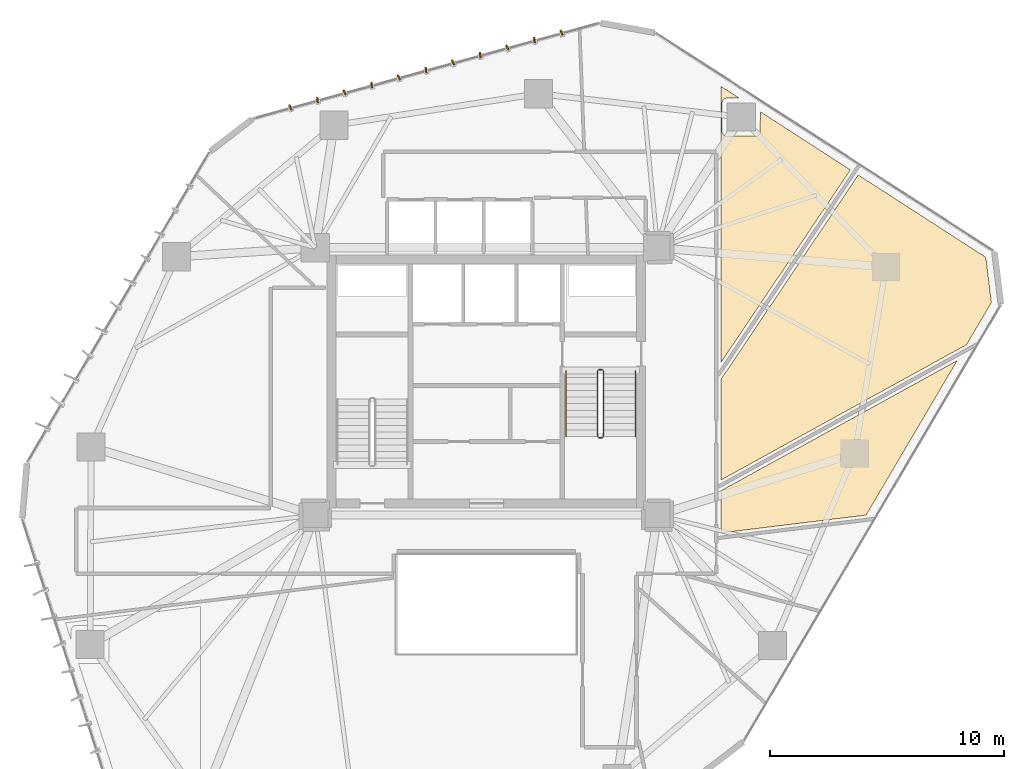
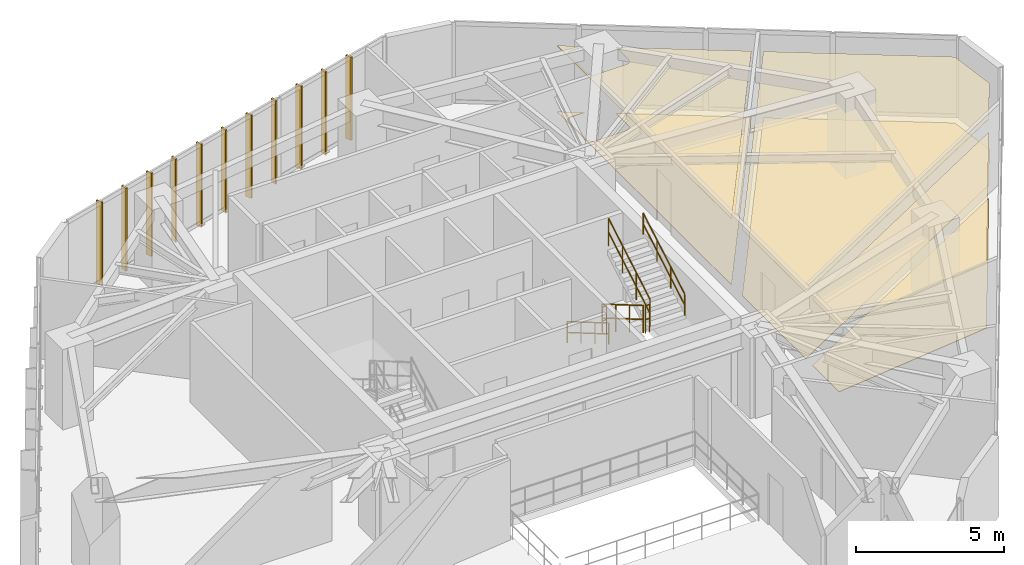
# One storey, part 20 of 20: 11 shading devices, 6 coverings, 6 railings.
"""IFC4 building model written with IfcOpenShell, lengths in metres."""

from ifc_helpers import new_model, si_unit, direction, frame, origin, origin_2d, place, context, subcontext, project, spatial, polyline, rectangle, circle, outline, extrude, source, transform, mapped, material, layer, layer_set, type_object, type_shapes, element, save


model = new_model("IFC4")

# Units and contexts
model_context = context("Model", 3, precision=1e-05, world=origin(), true_north=direction((0.0, 1.0)))
body_context = subcontext(model_context, "Body", "Model", "MODEL_VIEW")
ifc_project = project(units=[si_unit("LENGTHUNIT", "METRE"), si_unit("AREAUNIT", "SQUARE_METRE"), si_unit("VOLUMEUNIT", "CUBIC_METRE"), si_unit("PLANEANGLEUNIT", "RADIAN"), si_unit("MASSUNIT", "GRAM", prefix="KILO")], contexts=[model_context])

# Site, building, storey
site_placement = place(None, origin())
site = spatial("IfcSite", under=ifc_project, at=site_placement, CompositionType="ELEMENT")
building_placement = place(site_placement, origin())
building = spatial("IfcBuilding", under=site, at=building_placement, Name="Talar Marvaseh", CompositionType="ELEMENT")
storey_placement = place(building_placement, frame((0.0, 0.0, 136.199951171875)))
storey = spatial("IfcBuildingStorey", under=building, at=storey_placement, Name="L35", CompositionType="ELEMENT", Elevation=136.199951171875)

# Railings
ifc_material_1 = material(Name="Stainless Steel Grade 316", Category="steel")
railing_type_1 = type_object("IfcRailingType", Name="Brushed Stainless Wall Pitch Handrail 900", PredefinedType="HANDRAIL", material=ifc_material_1)
railing_1_placement = place(storey_placement, frame((29.389892578125, 31.64990234375, 0.16357421875)))
element("IfcRailing", 1, at=railing_1_placement, inside=storey, type_object=railing_type_1, Name="L35 ST-2 stair handrail 1", PredefinedType="HANDRAIL", context=body_context, shape_type="SweptSolid", body=[
    extrude(circle(Radius=0.02392578125, at=origin_2d()), frame((0.0, 0.0, 0.8759765625), z_axis=(0.0, -0.863341702679, 0.504619762213), x_axis=(1.0, 0.0, 0.0)), (0.0, 0.0, 1.0), 3.242919921875),
    extrude(circle(Radius=0.02392578125, at=origin_2d()), frame((0.0, 0.0, 0.42578125), z_axis=(0.0, -0.863341702679, 0.504619762213), x_axis=(1.0, 0.0, 0.0)), (0.0, 0.0, 1.0), 3.242919921875),
    extrude(circle(Radius=0.02099609375, at=origin_2d()), origin(), (0.0, 0.0, 1.0), 0.851806640625),
    extrude(circle(Radius=0.02099609375, at=origin_2d()), frame((0.0, -0.933349609375, 0.54541015625)), (0.0, 0.0, 1.0), 0.851806640625),
    extrude(circle(Radius=0.02099609375, at=origin_2d()), frame((0.0, -1.866455078125, 1.091064453125)), (0.0, 0.0, 1.0), 0.851806640625),
    extrude(circle(Radius=0.02099609375, at=origin_2d()), frame((0.0, -2.7998046875, 1.636474609375)), (0.0, 0.0, 1.0), 0.851806640625),
])
railing_2_placement = place(storey_placement, frame((32.35009765625, 28.85009765625, 1.963623046875)))
element("IfcRailing", 2, at=railing_2_placement, inside=storey, type_object=railing_type_1, Name="L35 ST-2 stair handrail 2", PredefinedType="HANDRAIL", context=body_context, shape_type="SweptSolid", body=[
    extrude(circle(Radius=0.02392578125, at=origin_2d()), frame((0.0, 0.0, 0.8759765625), z_axis=(0.0, 0.863341702679, 0.504619762213), x_axis=(-1.0, 0.0, 0.0)), (0.0, 0.0, 1.0), 3.242919921875),
    extrude(circle(Radius=0.02392578125, at=origin_2d()), frame((0.0, 0.0, 0.42578125), z_axis=(0.0, 0.863341702679, 0.504619762213), x_axis=(-1.0, 0.0, 0.0)), (0.0, 0.0, 1.0), 3.242919921875),
    extrude(circle(Radius=0.02099609375, at=origin_2d()), origin(), (0.0, 0.0, 1.0), 0.851806640625),
    extrude(circle(Radius=0.02099609375, at=origin_2d()), frame((0.0, 0.933349609375, 0.54541015625)), (0.0, 0.0, 1.0), 0.851806640625),
    extrude(circle(Radius=0.02099609375, at=origin_2d()), frame((0.0, 1.866455078125, 1.091064453125)), (0.0, 0.0, 1.0), 0.851806640625),
    extrude(circle(Radius=0.02099609375, at=origin_2d()), frame((0.0, 2.7998046875, 1.636474609375)), (0.0, 0.0, 1.0), 0.851806640625),
])
railing_type_2 = type_object("IfcRailingType", Name="Painted Steel Core Stair Well Guardrail 1150", PredefinedType="GUARDRAIL", material=ifc_material_1)
railing_3_placement = place(storey_placement, frame((30.739990234375, 31.64990234375, 0.16357421875)))
element("IfcRailing", 3, at=railing_3_placement, inside=storey, type_object=railing_type_2, Name="L35 ST-2 stair guard 1", PredefinedType="GUARDRAIL", context=body_context, shape_type="SweptSolid", body=[
    extrude(circle(Radius=0.02392578125, at=origin_2d()), frame((0.0, 0.0, 1.1259765625), z_axis=(0.0, -0.863341702679, 0.504619762213), x_axis=(1.0, 0.0, 0.0)), (0.0, 0.0, 1.0), 3.242919921875),
    extrude(circle(Radius=0.02392578125, at=origin_2d()), frame((0.0, 0.0, 0.55078125), z_axis=(0.0, -0.863341702679, 0.504619762213), x_axis=(1.0, 0.0, 0.0)), (0.0, 0.0, 1.0), 3.242919921875),
    extrude(circle(Radius=0.02099609375, at=origin_2d()), origin(), (0.0, 0.0, 1.0), 1.101806640625),
    extrude(circle(Radius=0.02099609375, at=origin_2d()), frame((0.0, -0.933349609375, 0.54541015625)), (0.0, 0.0, 1.0), 1.101806640625),
    extrude(circle(Radius=0.02099609375, at=origin_2d()), frame((0.0, -1.866455078125, 1.091064453125)), (0.0, 0.0, 1.0), 1.101806640625),
    extrude(circle(Radius=0.02099609375, at=origin_2d()), frame((0.0, -2.7998046875, 1.636474609375)), (0.0, 0.0, 1.0), 1.101806640625),
])
railing_4_placement = place(storey_placement, frame((30.7900390625, 28.800048828125, 1.800048828125)))
element("IfcRailing", 4, at=railing_4_placement, inside=storey, type_object=railing_type_2, Name="L35 ST-2 stair guard 2", PredefinedType="GUARDRAIL", context=body_context, shape_type="SweptSolid", body=[
    extrude(circle(Radius=0.02392578125, at=origin_2d()), frame((0.0, 0.0, 1.1259765625), z_axis=(1.0, 0.0, 0.0), x_axis=(0.0, 1.0, 0.0)), (0.0, 0.0, 1.0), 0.159912109375),
    extrude(circle(Radius=0.02392578125, at=origin_2d()), frame((0.0, 0.0, 0.55078125), z_axis=(1.0, 0.0, 0.0), x_axis=(0.0, 1.0, 0.0)), (0.0, 0.0, 1.0), 0.159912109375),
    extrude(circle(Radius=0.02099609375, at=origin_2d()), origin(), (0.0, 0.0, 1.0), 1.101806640625),
    extrude(circle(Radius=0.02099609375, at=origin_2d()), frame((0.159912109375, 0.0, 0.0)), (0.0, 0.0, 1.0), 1.101806640625),
])
railing_5_placement = place(storey_placement, frame((31.0, 28.85009765625, 1.963623046875)))
element("IfcRailing", 5, at=railing_5_placement, inside=storey, type_object=railing_type_2, Name="L35 ST-2 stair guard 3", PredefinedType="GUARDRAIL", context=body_context, shape_type="SweptSolid", body=[
    extrude(circle(Radius=0.02392578125, at=origin_2d()), frame((0.0, 0.0, 1.1259765625), z_axis=(0.0, 0.863341702679, 0.504619762213), x_axis=(-1.0, 0.0, 0.0)), (0.0, 0.0, 1.0), 3.242919921875),
    extrude(circle(Radius=0.02392578125, at=origin_2d()), frame((0.0, 0.0, 0.55078125), z_axis=(0.0, 0.863341702679, 0.504619762213), x_axis=(-1.0, 0.0, 0.0)), (0.0, 0.0, 1.0), 3.242919921875),
    extrude(circle(Radius=0.02099609375, at=origin_2d()), origin(), (0.0, 0.0, 1.0), 1.101806640625),
    extrude(circle(Radius=0.02099609375, at=origin_2d()), frame((0.0, 0.933349609375, 0.54541015625)), (0.0, 0.0, 1.0), 1.101806640625),
    extrude(circle(Radius=0.02099609375, at=origin_2d()), frame((0.0, 1.866455078125, 1.091064453125)), (0.0, 0.0, 1.0), 1.101806640625),
    extrude(circle(Radius=0.02099609375, at=origin_2d()), frame((0.0, 2.7998046875, 1.636474609375)), (0.0, 0.0, 1.0), 1.101806640625),
])
railing_6_placement = place(storey_placement, frame((30.7900390625, 31.699951171875, 0.0)))
element("IfcRailing", 6, at=railing_6_placement, inside=storey, type_object=railing_type_2, Name="L35 ST-2 stair guard 4", PredefinedType="GUARDRAIL", context=body_context, shape_type="SweptSolid", body=[
    extrude(circle(Radius=0.02392578125, at=origin_2d()), frame((0.0, 0.0, 1.1259765625), z_axis=(1.0, 0.0, 0.0), x_axis=(0.0, 1.0, 0.0)), (0.0, 0.0, 1.0), 0.159912109375),
    extrude(circle(Radius=0.02392578125, at=origin_2d()), frame((0.0, 0.0, 0.55078125), z_axis=(1.0, 0.0, 0.0), x_axis=(0.0, 1.0, 0.0)), (0.0, 0.0, 1.0), 0.159912109375),
    extrude(circle(Radius=0.02099609375, at=origin_2d()), origin(), (0.0, 0.0, 1.0), 1.101806640625),
    extrude(circle(Radius=0.02099609375, at=origin_2d()), frame((0.159912109375, 0.0, 0.0)), (0.0, 0.0, 1.0), 1.101806640625),
])

# Coverings
ifc_material_2 = material(Name="Mineral Fibre Acoustic Ceiling")
ifc_layer_1 = layer(ifc_material_2, 0.02490234375)
ifc_layer_set_1 = layer_set([ifc_layer_1], Name="Mineral Fibre Acoustic Ceiling")
covering_type_1 = type_object("IfcCoveringType", Name="Perforated Mineral Fibre Acoustic Suspended Ceiling", PredefinedType="CEILING", material=ifc_layer_set_1)
covering_1_placement = place(storey_placement, frame((0.0, 0.0, 2.719970703125)))
element("IfcCovering", 7, at=covering_1_placement, inside=storey, type_object=covering_type_1, Name="L35 Cultural Fellowship Office Acoustic Ceiling", PredefinedType="CEILING", context=body_context, shape_type="SweptSolid", body=[
    extrude(outline(polyline([(46.07568359375, 32.0888671875), (42.193603515625, 25.50048828125), (36.0, 24.739990234375), (36.0, 26.537109375), (46.07568359375, 32.0888671875)])), origin(), (0.0, 0.0, 1.0), 0.025146484375),
])
covering_2_placement = place(storey_placement, frame((0.0, 0.0, 2.719970703125)))
element("IfcCovering", 8, at=covering_2_placement, inside=storey, type_object=covering_type_1, Name="L35 Manuscript Folio Archive Room Acoustic Ceiling", PredefinedType="CEILING", context=body_context, shape_type="SweptSolid", body=[
    extrude(outline(polyline([(36.0, 26.99365234375), (36.0, 31.28369140625), (41.85791015625, 40.005615234375), (47.296875, 36.494384765625), (47.535888671875, 34.56689453125), (46.47412109375, 32.764892578125), (36.0, 26.99365234375)])), origin(), (0.0, 0.0, 1.0), 0.025146484375),
])
covering_3_placement = place(storey_placement, frame((0.0, 0.0, 2.719970703125)))
element("IfcCovering", 9, at=covering_3_placement, inside=storey, type_object=covering_type_1, Name="L35 Conservation Laboratory Acoustic Ceiling", PredefinedType="CEILING", context=body_context, shape_type="SweptSolid", body=[
    extrude(outline(polyline([(36.254638671875, 43.281494140625), (36.235107421875, 43.280517578125), (36.2158203125, 43.277587890625), (36.197021484375, 43.27294921875), (36.178466796875, 43.26611328125), (36.160888671875, 43.2578125), (36.14404296875, 43.247802734375), (36.12841796875, 43.236083984375), (36.114013671875, 43.222900390625), (36.100830078125, 43.20849609375), (36.089111328125, 43.19287109375), (36.0791015625, 43.176025390625), (36.07080078125, 43.158447265625), (36.064208984375, 43.14013671875), (36.059326171875, 43.12109375), (36.056396484375, 43.101806640625), (36.055419921875, 43.082275390625), (36.051025390625, 41.87158203125), (36.0517578125, 41.853759765625), (36.05419921875, 41.835693359375), (36.05810546875, 41.818115234375), (36.063720703125, 41.80078125), (36.07080078125, 41.7841796875), (36.079345703125, 41.768310546875), (36.08740234375, 41.755126953125), (36.09765625, 41.739501953125), (36.109619140625, 41.724853515625), (36.12255859375, 41.71142578125), (36.136962890625, 41.69921875), (36.15234375, 41.6884765625), (36.168701171875, 41.67919921875), (36.185791015625, 41.671630859375), (36.20361328125, 41.66552734375), (36.221923828125, 41.6611328125), (36.240478515625, 41.65869140625), (36.25927734375, 41.65771484375), (37.47705078125, 41.660400390625), (37.49658203125, 41.661376953125), (37.515869140625, 41.664306640625), (37.534912109375, 41.669189453125), (37.55322265625, 41.67578125), (37.57080078125, 41.68408203125), (37.587646484375, 41.694091796875), (37.603515625, 41.705810546875), (37.617919921875, 41.718994140625), (37.631103515625, 41.7333984375), (37.642578125, 41.7490234375), (37.65283203125, 41.765869140625), (37.6611328125, 41.783447265625), (37.667724609375, 41.802001953125), (37.672607421875, 41.82080078125), (37.675537109375, 41.840087890625), (37.676513671875, 41.859619140625), (37.6796875, 42.703125), (41.521728515625, 40.22265625), (36.0, 32.001220703125), (36.0, 41.0), (36.0, 43.78759765625), (36.78076171875, 43.283447265625), (36.254638671875, 43.281494140625)])), origin(), (0.0, 0.0, 1.0), 0.025146484375),
])
ifc_material_3 = material(Name="Porcelain Stoneware Tile", Category="masonry")
ifc_layer_2 = layer(ifc_material_3, 0.02001953125)
ifc_layer_set_2 = layer_set([ifc_layer_2], Name="Porcelain Stoneware Tile")
covering_type_2 = type_object("IfcCoveringType", Name="Polished Porcelain Stoneware Gallery Flooring", PredefinedType="FLOORING", material=ifc_layer_set_2)
covering_4_placement = place(storey_placement, origin())
element("IfcCovering", 10, at=covering_4_placement, inside=storey, type_object=covering_type_2, Name="L35 Cultural Fellowship Office Flooring", PredefinedType="FLOORING", context=body_context, shape_type="SweptSolid", body=[
    extrude(outline(polyline([(46.07568359375, 32.0888671875), (42.193603515625, 25.50048828125), (36.0, 24.739990234375), (36.0, 26.537109375), (46.07568359375, 32.0888671875)])), origin(), (0.0, 0.0, 1.0), 0.02001953125),
])
covering_5_placement = place(storey_placement, origin())
element("IfcCovering", 11, at=covering_5_placement, inside=storey, type_object=covering_type_2, Name="L35 Manuscript Folio Archive Room Flooring", PredefinedType="FLOORING", context=body_context, shape_type="SweptSolid", body=[
    extrude(outline(polyline([(36.0, 26.99365234375), (36.0, 31.28369140625), (41.85791015625, 40.005615234375), (47.296875, 36.494384765625), (47.535888671875, 34.56689453125), (46.47412109375, 32.764892578125), (36.0, 26.99365234375)])), origin(), (0.0, 0.0, 1.0), 0.02001953125),
])
covering_6_placement = place(storey_placement, origin())
element("IfcCovering", 12, at=covering_6_placement, inside=storey, type_object=covering_type_2, Name="L35 Conservation Laboratory Flooring", PredefinedType="FLOORING", context=body_context, shape_type="SweptSolid", body=[
    extrude(outline(polyline([(36.254638671875, 43.281494140625), (36.235107421875, 43.280517578125), (36.2158203125, 43.277587890625), (36.197021484375, 43.27294921875), (36.178466796875, 43.26611328125), (36.160888671875, 43.2578125), (36.14404296875, 43.247802734375), (36.12841796875, 43.236083984375), (36.114013671875, 43.222900390625), (36.100830078125, 43.20849609375), (36.089111328125, 43.19287109375), (36.0791015625, 43.176025390625), (36.07080078125, 43.158447265625), (36.064208984375, 43.14013671875), (36.059326171875, 43.12109375), (36.056396484375, 43.101806640625), (36.055419921875, 43.082275390625), (36.051025390625, 41.87158203125), (36.0517578125, 41.853759765625), (36.05419921875, 41.835693359375), (36.05810546875, 41.818115234375), (36.063720703125, 41.80078125), (36.07080078125, 41.7841796875), (36.079345703125, 41.768310546875), (36.08740234375, 41.755126953125), (36.09765625, 41.739501953125), (36.109619140625, 41.724853515625), (36.12255859375, 41.71142578125), (36.136962890625, 41.69921875), (36.15234375, 41.6884765625), (36.168701171875, 41.67919921875), (36.185791015625, 41.671630859375), (36.20361328125, 41.66552734375), (36.221923828125, 41.6611328125), (36.240478515625, 41.65869140625), (36.25927734375, 41.65771484375), (37.47705078125, 41.660400390625), (37.49658203125, 41.661376953125), (37.515869140625, 41.664306640625), (37.534912109375, 41.669189453125), (37.55322265625, 41.67578125), (37.57080078125, 41.68408203125), (37.587646484375, 41.694091796875), (37.603515625, 41.705810546875), (37.617919921875, 41.718994140625), (37.631103515625, 41.7333984375), (37.642578125, 41.7490234375), (37.65283203125, 41.765869140625), (37.6611328125, 41.783447265625), (37.667724609375, 41.802001953125), (37.672607421875, 41.82080078125), (37.675537109375, 41.840087890625), (37.676513671875, 41.859619140625), (37.6796875, 42.703125), (41.521728515625, 40.22265625), (36.0, 32.001220703125), (36.0, 41.0), (36.0, 43.78759765625), (36.78076171875, 43.283447265625), (36.254638671875, 43.281494140625)])), origin(), (0.0, 0.0, 1.0), 0.02001953125),
])

# Shading devices
ifc_material_4 = material(Name="Anodised Champagne Bronze Aluminium", Category="aluminium")
ifc_layer_3 = layer(ifc_material_4, 0.06494140625)
ifc_layer_set_3 = layer_set([ifc_layer_3], Name="Anodised Champagne Bronze Aluminium")
shading_device_type = type_object("IfcShadingDeviceType", Name="Sawtooth Champagne Bronze Vertical Fin 240", PredefinedType="USERDEFINED", material=ifc_layer_set_3)
shared_shape = source(origin(), body_context, "Body", "SweptSolid", [
    extrude(rectangle(XDim=0.239990234375, YDim=0.06494140625, at=origin_2d()), origin(), (0.0, 0.0, 1.0), 3.429931640625),
])
type_shapes(shading_device_type, [shared_shape])
for number, where, z_axis, x_axis, name in (
    (13, (17.637939453125, 42.886962890625, -0.1201171875), (0.0, 0.0, 1.0), (-0.397628371371, 0.91754655374, 0.0), "L35 Sawtooth Vertical Solar Fin"),
    (14, (18.794677734375, 43.206298828125, -0.1201171875), (0.0, 0.0, 1.0), (-0.129314816705, 0.991603589233, 0.0), "L35 Sawtooth Vertical Solar Fin"),
    (15, (19.951416015625, 43.525390625, -0.1201171875), (0.0, 0.0, 1.0), (-0.397628371371, 0.91754655374, 0.0), "L35 Sawtooth Vertical Solar Fin"),
    (16, (21.108154296875, 43.8447265625, -0.1201171875), (0.0, 0.0, 1.0), (-0.129314816705, 0.991603589233, 0.0), "L35 Sawtooth Vertical Solar Fin"),
    (17, (22.264892578125, 44.1640625, -0.1201171875), (0.0, 0.0, 1.0), (-0.397628371371, 0.91754655374, 0.0), "L35 Sawtooth Vertical Solar Fin"),
    (18, (23.421630859375, 44.4833984375, -0.1201171875), (0.0, 0.0, 1.0), (-0.129314816705, 0.991603589233, 0.0), "L35 Sawtooth Vertical Solar Fin"),
    (19, (24.578369140625, 44.802734375, -0.1201171875), (0.0, 0.0, 1.0), (-0.397628371371, 0.91754655374, 0.0), "L35 Sawtooth Vertical Solar Fin"),
    (20, (25.735107421875, 45.1220703125, -0.1201171875), (0.0, 0.0, 1.0), (-0.129314816705, 0.991603589233, 0.0), "L35 Sawtooth Vertical Solar Fin"),
    (21, (26.891845703125, 45.44140625, -0.1201171875), (0.0, 0.0, 1.0), (-0.397628371371, 0.91754655374, 0.0), "L35 Sawtooth Vertical Solar Fin"),
    (22, (28.048583984375, 45.7607421875, -0.1201171875), (0.0, 0.0, 1.0), (-0.129314816705, 0.991603589233, 0.0), "L35 Sawtooth Vertical Solar Fin"),
    (23, (29.205322265625, 46.080078125, -0.1201171875), (0.0, 0.0, 1.0), (-0.397628371371, 0.91754655374, 0.0), "L35 Sawtooth Vertical Solar Fin"),
):
    element("IfcShadingDevice", number, at=place(storey_placement, frame(where, z_axis=z_axis, x_axis=x_axis)), inside=storey, type_object=shading_device_type, Name=name, ObjectType="FIN", PredefinedType="USERDEFINED", context=body_context, shape_type="MappedRepresentation", body=[
        mapped(shared_shape, transform((0.0, 0.0, 0.0), x_axis=(1.0, 0.0, 0.0), y_axis=(0.0, 1.0, 0.0), z_axis=(0.0, 0.0, 1.0), scale=1.0)),
    ])

save(model, "model.ifc")
